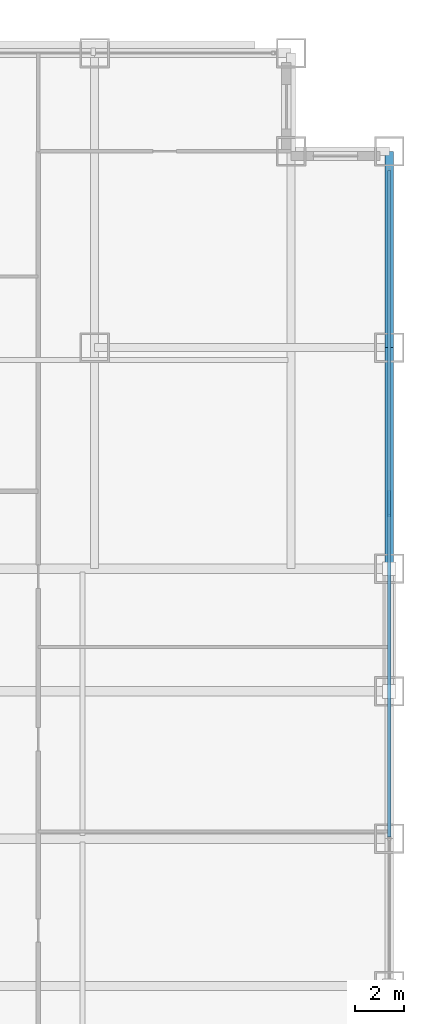
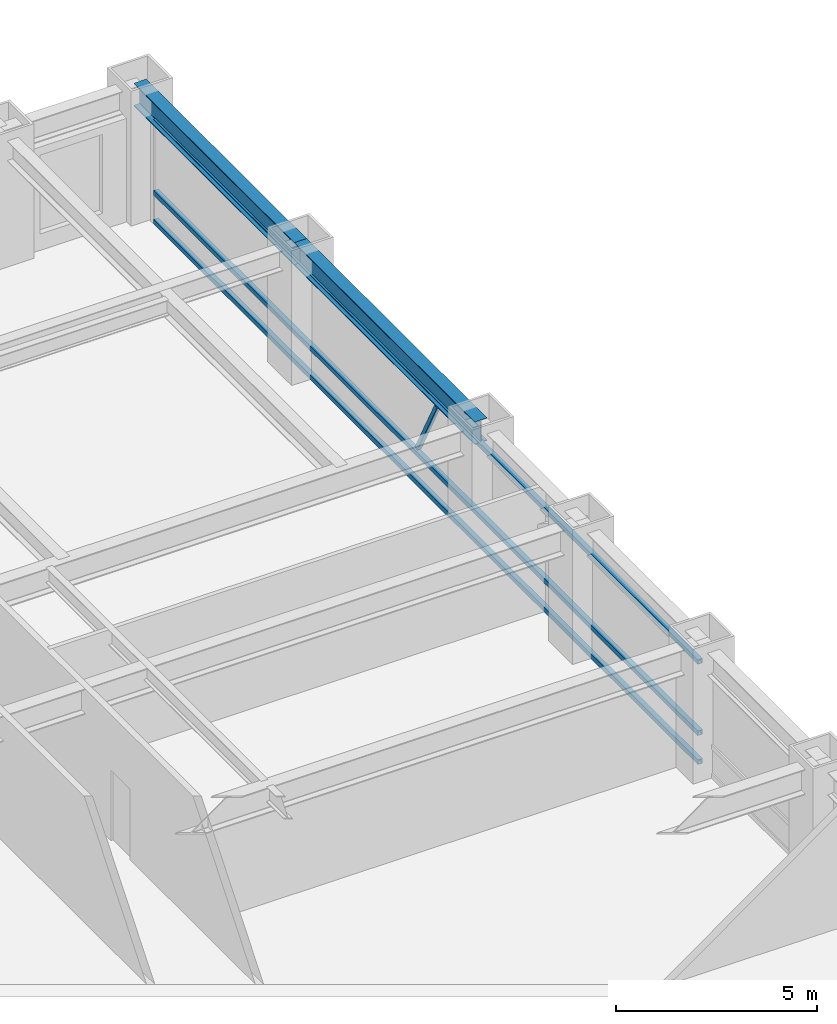
# One storey, part 15 of 32: 4 members, 2 beams, 1 element without a shape of its own.
"""IFC4 building model written with IfcOpenShell, lengths in metres."""

from ifc_helpers import new_model, si_unit, direction, frame, origin, origin_2d, place, context, subcontext, project, spatial, hollow_rectangle, i_section, extrude, source, transform, mapped, material, material_profile, profile_set, type_object, element, aggregate, save


model = new_model("IFC4")

# Units and contexts
model_context = context("Model", 3, precision=1e-05, world=origin(), true_north=direction((0.0, 1.0)))
body_context = subcontext(model_context, "Body", "Model", "MODEL_VIEW")
ifc_project = project(units=[si_unit("LENGTHUNIT", "METRE"), si_unit("AREAUNIT", "SQUARE_METRE"), si_unit("VOLUMEUNIT", "CUBIC_METRE"), si_unit("PLANEANGLEUNIT", "RADIAN"), si_unit("MASSUNIT", "GRAM", prefix="KILO")], contexts=[model_context])

# Site, building, storey
site_placement = place(None, origin())
site = spatial("IfcSite", under=ifc_project, at=site_placement, CompositionType="ELEMENT")
building_placement = place(site_placement, origin())
building = spatial("IfcBuilding", under=site, at=building_placement, Name="Khorayat Bourse Tower", CompositionType="ELEMENT")
storey_placement = place(building_placement, frame((0.0, 0.0, 99.60009765625)))
storey = spatial("IfcBuildingStorey", under=building, at=storey_placement, Name="L22", CompositionType="ELEMENT", Elevation=99.60009765625)

# Beams
ifc_material_1 = material(Name="Steel ASTM A992 Grade 50", Category="steel")
ifc_material_profile_1 = material_profile(ifc_material_1, i_section(OverallWidth=0.35498046875, OverallDepth=0.695068359375, WebThickness=0.015380859375, FlangeThickness=0.02490234375, FilletRadius=0.01806640625, at=origin_2d()), Name="W690X217")
ifc_profile_set_1 = profile_set([ifc_material_profile_1], Name="Steel ASTM A992 Grade 50")
beam_type = type_object("IfcBeamType", Name="BM-SPAN-690", PredefinedType="SPANDREL", material=ifc_profile_set_1)
shared_shape_1 = source(origin(), body_context, "Body", "SweptSolid", [
    extrude(i_section(OverallWidth=0.35498046875, OverallDepth=0.695068359375, WebThickness=0.015380859375, FlangeThickness=0.02490234375, FilletRadius=0.01806640625, at=origin_2d()), origin(), (0.0, 0.0, 1.0), 9.0),
])
beam_1_placement = place(storey_placement, frame((32.0, 11.0, 3.492431640625), z_axis=(0.0, 1.0, 0.0), x_axis=(-1.0, 0.0, 0.0)))
element("IfcBeam", 1, at=beam_1_placement, inside=storey, type_object=beam_type, Name="L22 BM-SPAN-690 BM-L22-SPN-040", PredefinedType="SPANDREL", context=body_context, shape_type="MappedRepresentation", body=[
    mapped(shared_shape_1, transform((0.0, 0.0, 0.0), scale=1.0)),
])
shared_shape_2 = source(origin(), body_context, "Body", "SweptSolid", [
    extrude(i_section(OverallWidth=0.35498046875, OverallDepth=0.695068359375, WebThickness=0.015380859375, FlangeThickness=0.02490234375, FilletRadius=0.01806640625, at=origin_2d()), origin(), (0.0, 0.0, 1.0), 8.0),
])
beam_2_placement = place(storey_placement, frame((32.0, 20.0, 3.492431640625), z_axis=(0.0, 1.0, 0.0), x_axis=(-1.0, 0.0, 0.0)))
element("IfcBeam", 2, at=beam_2_placement, inside=storey, type_object=beam_type, Name="L22 BM-SPAN-690 BM-L22-SPN-041", PredefinedType="SPANDREL", context=body_context, shape_type="MappedRepresentation", body=[
    mapped(shared_shape_2, transform((0.0, 0.0, 0.0), scale=1.0)),
])

# Curtain wall, members
ifc_material_2 = material(Name="Aluminium EN AW-6063 T6", Category="aluminium")
curtain_wall_type = type_object("IfcCurtainWallType", Name="CW-SYS-02", PredefinedType="NOTDEFINED", material=ifc_material_2)
curtain_wall_placement = place(storey_placement, origin())
curtain_wall = element("IfcCurtainWall", 3, at=curtain_wall_placement, inside=storey, type_object=curtain_wall_type, Name="L22 Curtain Wall CW-L22-E1", PredefinedType="NOTDEFINED")
ifc_material_profile_2 = material_profile(ifc_material_2, hollow_rectangle(XDim=0.139892578125, YDim=0.139892578125, WallThickness=0.006103515625, at=origin_2d()), Name="ALU 140x140x6")
ifc_profile_set_2 = profile_set([ifc_material_profile_2], Name="Aluminium EN AW-6063 T6")
member_type_1 = type_object("IfcMemberType", Name="CWT-HORZ-140", PredefinedType="USERDEFINED", material=ifc_profile_set_2)
shared_shape_3 = source(origin(), body_context, "Body", "SweptSolid", [
    extrude(hollow_rectangle(XDim=0.139892578125, YDim=0.139892578125, WallThickness=0.006103515625, at=origin_2d()), origin(), (0.0, 0.0, 1.0), 27.139892578125),
])
member_1_placement = place(storey_placement, frame((32.0, 0.070068359375, 0.06982421875), z_axis=(0.0, 1.0, 0.0), x_axis=(-1.0, 0.0, 0.0)))
member_1 = element("IfcMember", 4, at=member_1_placement, type_object=member_type_1, Name="CW-L22-E1 Horizontal Transom 2-1", ObjectType="TRANSOM", PredefinedType="USERDEFINED", context=body_context, shape_type="MappedRepresentation", body=[
    mapped(shared_shape_3, transform((0.0, 0.0, 0.0), scale=1.0)),
])
member_2_placement = place(storey_placement, frame((32.0, 0.070068359375, 0.949951171875), z_axis=(0.0, 1.0, 0.0), x_axis=(-1.0, 0.0, 0.0)))
member_2 = element("IfcMember", 5, at=member_2_placement, type_object=member_type_1, Name="CW-L22-E1 Horizontal Transom 2-2", ObjectType="TRANSOM", PredefinedType="USERDEFINED", context=body_context, shape_type="MappedRepresentation", body=[
    mapped(shared_shape_3, transform((0.0, 0.0, 0.0), scale=1.0)),
])
member_3_placement = place(storey_placement, frame((32.0, 0.070068359375, 3.119873046875), z_axis=(0.0, 1.0, 0.0), x_axis=(-1.0, 0.0, 0.0)))
member_3 = element("IfcMember", 6, at=member_3_placement, type_object=member_type_1, Name="CW-L22-E1 Horizontal Transom 2-3", ObjectType="TRANSOM", PredefinedType="USERDEFINED", context=body_context, shape_type="MappedRepresentation", body=[
    mapped(shared_shape_3, transform((0.0, 0.0, 0.0), scale=1.0)),
])
ifc_material_profile_3 = material_profile(ifc_material_2, hollow_rectangle(XDim=0.1201171875, YDim=0.1201171875, WallThickness=0.0048828125, at=origin_2d()), Name="ALU 120x120x5")
ifc_profile_set_3 = profile_set([ifc_material_profile_3], Name="Aluminium EN AW-6063 T6")
member_type_2 = type_object("IfcMemberType", Name="CWM-DIAG-120", PredefinedType="MULLION", material=ifc_profile_set_3)
shared_shape_4 = source(origin(), body_context, "Body", "SweptSolid", [
    extrude(hollow_rectangle(XDim=0.1201171875, YDim=0.1201171875, WallThickness=0.0048828125, at=origin_2d()), origin(), (0.0, 0.0, 1.0), 2.11328125),
])
member_4_placement = place(storey_placement, frame((32.0, 14.132080078125, 1.099853515625), z_axis=(0.0, -0.465694055905, 0.884945787207), x_axis=(1.0, 0.0, 0.0)))
member_4 = element("IfcMember", 7, at=member_4_placement, type_object=member_type_2, Name="CW-L22-E1 Faceted Diagonal Mullion 2", PredefinedType="MULLION", context=body_context, shape_type="MappedRepresentation", body=[
    mapped(shared_shape_4, transform((0.0, 0.0, 0.0), scale=1.0)),
])
aggregate(curtain_wall, [member_1, member_2, member_3, member_4])

save(model, "model.ifc")
